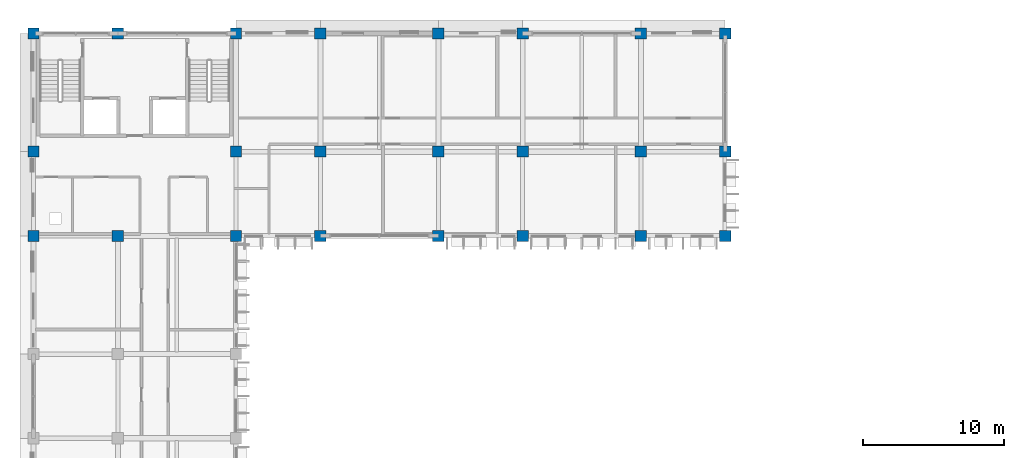
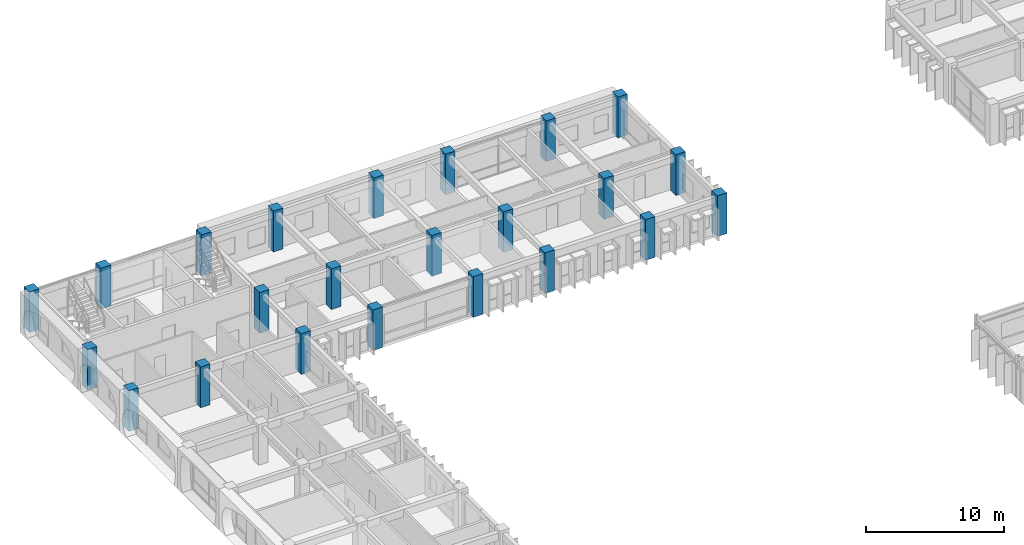
# One storey, part 8 of 88: 23 columns.
"""IFC4 building model written with IfcOpenShell, lengths in metres."""

from ifc_helpers import new_model, si_unit, direction, frame, origin, origin_2d, place, context, subcontext, project, spatial, rectangle, extrude, material, material_profile, profile_set, type_object, element, save


model = new_model("IFC4")

# Units and contexts
model_context = context("Model", 3, precision=1e-05, world=origin(), true_north=direction((0.0, 1.0)))
body_context = subcontext(model_context, "Body", "Model", "MODEL_VIEW")
ifc_project = project(units=[si_unit("LENGTHUNIT", "METRE"), si_unit("AREAUNIT", "SQUARE_METRE"), si_unit("VOLUMEUNIT", "CUBIC_METRE"), si_unit("PLANEANGLEUNIT", "RADIAN"), si_unit("MASSUNIT", "GRAM", prefix="KILO"), si_unit("THERMODYNAMICTEMPERATUREUNIT", "KELVIN")], contexts=[model_context])

# Site, building, storey
site_placement = place(None, origin())
site = spatial("IfcSite", under=ifc_project, at=site_placement, CompositionType="ELEMENT")
building_placement = place(site_placement, origin())
building = spatial("IfcBuilding", under=site, at=building_placement, Name="Thalorik Housing Commons", CompositionType="ELEMENT")
storey_placement = place(building_placement, frame((0.0, 0.0, 4.5)))
storey = spatial("IfcBuildingStorey", under=building, at=storey_placement, Name="L01", CompositionType="ELEMENT", Elevation=4.5)

# Columns
ifc_material = material(Name="Precast concrete C40/50", Category="concrete")
ifc_material_profile = material_profile(ifc_material, rectangle(XDim=0.800048828125, YDim=0.800048828125, at=origin_2d()), Name="PC 800x800", Category="concrete")
ifc_profile_set = profile_set([ifc_material_profile], Name="Precast concrete C40/50")
column_type = type_object("IfcColumnType", Name="STR-COL-PC800", PredefinedType="COLUMN", material=ifc_profile_set)
for number, where, z_axis, x_axis, name in (
    (1, (8.39990234375, 109.199951171875, 0.0), (0.0, 0.0, 1.0), (1.0, 0.0, 0.0), "L01 Column C-800"),
    (2, (8.39990234375, 115.199951171875, 0.0), (0.0, 0.0, 1.0), (1.0, 0.0, 0.0), "L01 Column C-800"),
    (3, (8.39990234375, 123.60009765625, 0.0), (0.0, 0.0, 1.0), (1.0, 0.0, 0.0), "L01 Column C-800"),
    (4, (14.39990234375, 109.199951171875, 0.0), (0.0, 0.0, 1.0), (1.0, 0.0, 0.0), "L01 Column C-800"),
    (5, (14.39990234375, 123.60009765625, 0.0), (0.0, 0.0, 1.0), (1.0, 0.0, 0.0), "L01 Column C-800"),
    (6, (22.800048828125, 109.199951171875, 0.0), (0.0, 0.0, 1.0), (1.0, 0.0, 0.0), "L01 Column C-800"),
    (7, (22.800048828125, 115.199951171875, 0.0), (0.0, 0.0, 1.0), (1.0, 0.0, 0.0), "L01 Column C-800"),
    (8, (22.800048828125, 123.60009765625, 0.0), (0.0, 0.0, 1.0), (1.0, 0.0, 0.0), "L01 Column C-800"),
    (9, (28.800048828125, 109.199951171875, 0.0), (0.0, 0.0, 1.0), (1.0, 0.0, 0.0), "L01 Column C-800"),
    (10, (28.800048828125, 115.199951171875, 0.0), (0.0, 0.0, 1.0), (1.0, 0.0, 0.0), "L01 Column C-800"),
    (11, (28.800048828125, 123.60009765625, 0.0), (0.0, 0.0, 1.0), (1.0, 0.0, 0.0), "L01 Column C-800"),
    (12, (37.199951171875, 109.199951171875, 0.0), (0.0, 0.0, 1.0), (1.0, 0.0, 0.0), "L01 Column C-800"),
    (13, (37.199951171875, 115.199951171875, 0.0), (0.0, 0.0, 1.0), (1.0, 0.0, 0.0), "L01 Column C-800"),
    (14, (37.199951171875, 123.60009765625, 0.0), (0.0, 0.0, 1.0), (1.0, 0.0, 0.0), "L01 Column C-800"),
    (15, (43.199951171875, 109.199951171875, 0.0), (0.0, 0.0, 1.0), (1.0, 0.0, 0.0), "L01 Column C-800"),
    (16, (43.199951171875, 115.199951171875, 0.0), (0.0, 0.0, 1.0), (1.0, 0.0, 0.0), "L01 Column C-800"),
    (17, (43.199951171875, 123.60009765625, 0.0), (0.0, 0.0, 1.0), (1.0, 0.0, 0.0), "L01 Column C-800"),
    (18, (51.60009765625, 109.199951171875, 0.0), (0.0, 0.0, 1.0), (1.0, 0.0, 0.0), "L01 Column C-800"),
    (19, (51.60009765625, 115.199951171875, 0.0), (0.0, 0.0, 1.0), (1.0, 0.0, 0.0), "L01 Column C-800"),
    (20, (51.60009765625, 123.60009765625, 0.0), (0.0, 0.0, 1.0), (1.0, 0.0, 0.0), "L01 Column C-800"),
    (21, (57.60009765625, 109.199951171875, 0.0), (0.0, 0.0, 1.0), (1.0, 0.0, 0.0), "L01 Column C-800"),
    (22, (57.60009765625, 115.199951171875, 0.0), (0.0, 0.0, 1.0), (1.0, 0.0, 0.0), "L01 Column C-800"),
    (23, (57.60009765625, 123.60009765625, 0.0), (0.0, 0.0, 1.0), (1.0, 0.0, 0.0), "L01 Column C-800"),
):
    element("IfcColumn", number, at=place(storey_placement, frame(where, z_axis=z_axis, x_axis=x_axis)), inside=storey, type_object=column_type, Name=name, PredefinedType="COLUMN", context=body_context, shape_type="SweptSolid", body=[
        extrude(rectangle(XDim=0.800048828125, YDim=0.800048828125, at=origin_2d()), origin(), (0.0, 0.0, 1.0), 3.60009765625),
    ])

save(model, "model.ifc")
